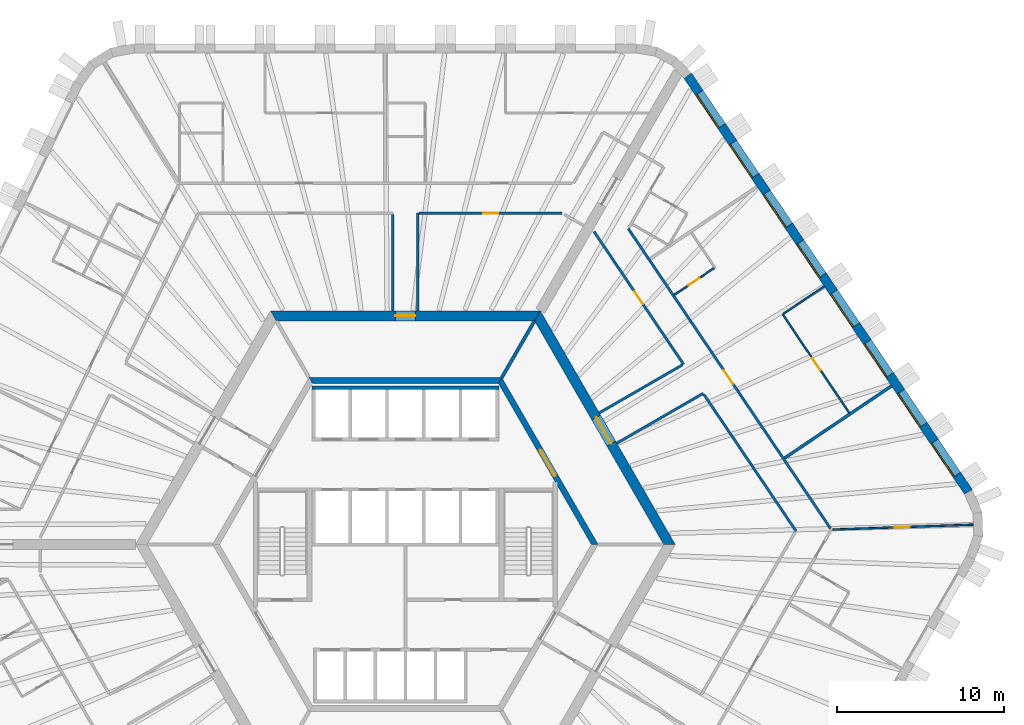
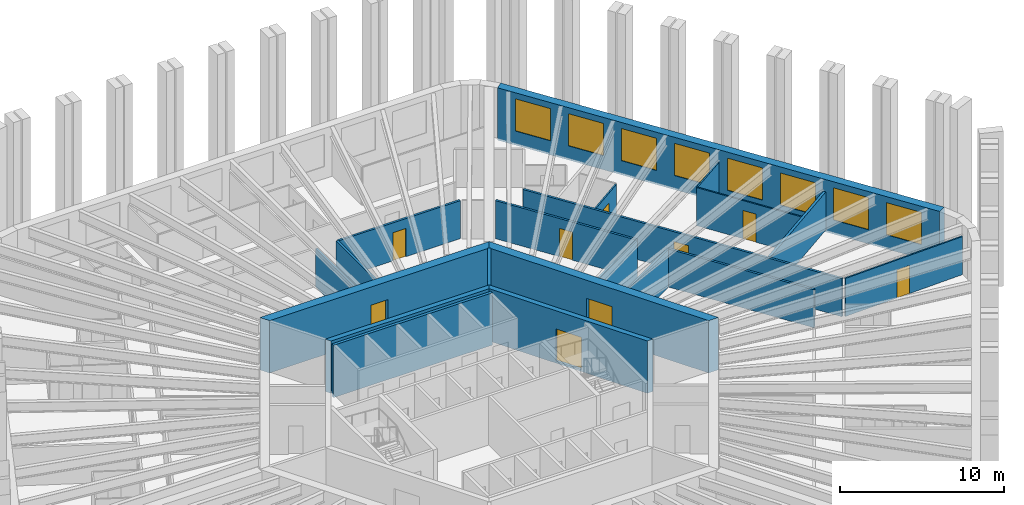
# One storey, part 9 of 13: 20 walls, 9 doors, 8 windows, 17 openings.
"""IFC4 building model written with IfcOpenShell, lengths in metres."""

from ifc_helpers import new_model, si_unit, direction, frame, frame_2d, origin, place, context, subcontext, project, spatial, polyline, rectangle, outline, extrude, material, layer, layer_set, type_object, element, fill, save


model = new_model("IFC4")

# Units and contexts
model_context = context("Model", 3, precision=1e-05, world=origin(), true_north=direction((0.0, 1.0)))
body_context = subcontext(model_context, "Body", "Model", "MODEL_VIEW")
ifc_project = project(units=[si_unit("LENGTHUNIT", "METRE"), si_unit("AREAUNIT", "SQUARE_METRE"), si_unit("VOLUMEUNIT", "CUBIC_METRE"), si_unit("PLANEANGLEUNIT", "RADIAN"), si_unit("MASSUNIT", "GRAM", prefix="KILO")], contexts=[model_context])

# Site, building, storey
site_placement = place(None, origin())
site = spatial("IfcSite", under=ifc_project, at=site_placement, CompositionType="ELEMENT")
building_placement = place(site_placement, origin())
building = spatial("IfcBuilding", under=site, at=building_placement, Name="Tarnside Tower", CompositionType="ELEMENT")
storey_placement = place(building_placement, frame((0.0, 0.0, 135.0)))
storey = spatial("IfcBuildingStorey", under=building, at=storey_placement, Name="L31", CompositionType="ELEMENT", Elevation=135.0)

# Wall, opening, door
ifc_material_1 = material(Name="Gypsum board partition on steel studs", Category="steel")
ifc_layer_1 = layer(ifc_material_1, 0.10009765625)
ifc_layer_set_1 = layer_set([ifc_layer_1], Name="Bathroom wall 100")
wall_type_1 = type_object("IfcWallType", Name="Bathroom wall 100", PredefinedType="PARTITIONING", material=ifc_layer_set_1)
wall_1_placement = place(storey_placement, frame((18.499267578125, 16.565673828125, 0.0), z_axis=(0.0, 0.0, 1.0), x_axis=(-0.82904649496, -0.559179675234, 0.0)))
wall_1 = element("IfcWall", 1, at=wall_1_placement, inside=storey, type_object=wall_type_1, Name="Bathroom wall 10150", PredefinedType="PARTITIONING", context=body_context, shape_type="SweptSolid", body=[
    extrude(rectangle(XDim=2.875, YDim=0.10009765625, at=frame_2d((1.4375, 0.0))), origin(), (0.0, 0.0, 1.0), 2.837890625),
])
opening_1_placement = place(wall_1_placement, frame((1.050048828125, 0.0, 0.0)))
opening_1 = element("IfcOpeningElement", 2, at=opening_1_placement, cuts=wall_1, Name="Opening D-B1", PredefinedType="OPENING", context=body_context, shape_type="SweptSolid", body=[
    extrude(rectangle(XDim=0.800048828125, YDim=2.10009765625, at=frame_2d((0.39990234375, 1.050048828125))), frame((0.0, 0.06005859375, 0.0), z_axis=(0.0, -1.0, 0.0), x_axis=(1.0, 0.0, 0.0)), (0.0, 0.0, 1.0), 0.1201171875),
])
ifc_material_2 = material(Name="Timber door leaf", Category="wood")
door_type_1 = type_object("IfcDoorType", Name="Bathroom door 800", OperationType="NOTDEFINED", PredefinedType="DOOR", material=ifc_material_2)
door_1_placement = place(opening_1_placement, origin())
door_1 = element("IfcDoor", 3, at=door_1_placement, inside=storey, type_object=door_type_1, Name="Bathroom door 10038", OperationType="SINGLE_SWING_LEFT", OverallHeight=2.10009765625, OverallWidth=0.800048828125, PredefinedType="DOOR", context=body_context, shape_type="SweptSolid", body=[
    extrude(rectangle(XDim=0.800048828125, YDim=2.10009765625, at=frame_2d((0.39990234375, 1.050048828125))), frame((0.0, 0.02490234375, 0.0), z_axis=(0.0, -1.0, 0.0), x_axis=(1.0, 0.0, 0.0)), (0.0, 0.0, 1.0), 0.050048828125),
])
fill(opening_1, door_1)

ifc_material_3 = material(Name="Concrete C50/60", Category="concrete")
ifc_layer_2 = layer(ifc_material_3, 0.35009765625)
ifc_layer_set_2 = layer_set([ifc_layer_2], Name="Core block wall 350 C50/60")
wall_type_2 = type_object("IfcWallType", Name="Core block wall 350 C50/60", PredefinedType="SHEAR", material=ifc_layer_set_2)
wall_2_placement = place(storey_placement, frame((11.344970703125, 0.0, -0.14990234375), z_axis=(0.0, 0.0, 1.0), x_axis=(-0.499995046907, 0.866028263435, 0.0)))
wall_2 = element("IfcWall", 4, at=wall_2_placement, inside=storey, type_object=wall_type_2, Name="L31 core block wall face 6", PredefinedType="SHEAR", context=body_context, shape_type="SweptSolid", body=[
    extrude(outline(polyline([(-0.10107421875, -0.175048828125), (11.44580078125, -0.175048828125), (11.24365234375, 0.175048828125), (0.10107421875, 0.175048828125), (-0.10107421875, -0.175048828125)])), origin(), (0.0, 0.0, 1.0), 3.89990234375),
])
opening_2_placement = place(wall_2_placement, frame((4.74365234375, 0.0, 0.14990234375)))
opening_2 = element("IfcOpeningElement", 5, at=opening_2_placement, cuts=wall_2, Name="Opening CD-LOB", PredefinedType="OPENING", context=body_context, shape_type="SweptSolid", body=[
    extrude(rectangle(XDim=1.800048828125, YDim=2.39990234375, at=frame_2d((0.89990234375, 1.199951171875))), frame((0.0, 0.18505859375, 0.0), z_axis=(0.0, -1.0, 0.0), x_axis=(1.0, 0.0, 0.0)), (0.0, 0.0, 1.0), 0.3701171875),
])
ifc_material_4 = material(Name="Steel fire door", Category="steel")
door_type_2 = type_object("IfcDoorType", Name="Lobby double door FD30S 1800x2400", OperationType="NOTDEFINED", PredefinedType="DOOR", material=ifc_material_4)
door_2_placement = place(opening_2_placement, origin())
door_2 = element("IfcDoor", 6, at=door_2_placement, inside=storey, type_object=door_type_2, Name="L31 lobby block door P2", OperationType="DOUBLE_DOOR_SINGLE_SWING", OverallHeight=2.39990234375, OverallWidth=1.800048828125, PredefinedType="DOOR", context=body_context, shape_type="SweptSolid", body=[
    extrude(rectangle(XDim=1.800048828125, YDim=2.39990234375, at=frame_2d((0.89990234375, 1.199951171875))), frame((0.0, 0.02490234375, 0.0), z_axis=(0.0, -1.0, 0.0), x_axis=(1.0, 0.0, 0.0)), (0.0, 0.0, 1.0), 0.050048828125),
])
fill(opening_2, door_2)

# Wall
wall_3_placement = place(storey_placement, frame((5.672607421875, 9.824951171875, -0.14990234375), z_axis=(0.0, 0.0, 1.0), x_axis=(-1.0, 0.0, 0.0)))
element("IfcWall", 7, at=wall_3_placement, inside=storey, type_object=wall_type_2, Name="L31 core block wall face 1", PredefinedType="SHEAR", context=body_context, shape_type="SweptSolid", body=[
    extrude(outline(polyline([(-0.10107421875, -0.175048828125), (11.4462890625, -0.175048828125), (11.244140625, 0.175048828125), (0.10107421875, 0.175048828125), (-0.10107421875, -0.175048828125)])), origin(), (0.0, 0.0, 1.0), 3.89990234375),
])

# Wall, opening, door
ifc_material_5 = material(Name="Concrete C80/95", Category="concrete")
ifc_layer_3 = layer(ifc_material_5, 0.60009765625)
ifc_layer_set_3 = layer_set([ifc_layer_3], Name="Core wall Z1 600 C80/95")
wall_type_3 = type_object("IfcWallType", Name="Core wall Z1 600 C80/95", PredefinedType="SHEAR", material=ifc_layer_set_3)
wall_4_placement = place(storey_placement, frame((15.8193359375, 0.0, -0.14990234375), z_axis=(0.0, 0.0, 1.0), x_axis=(-0.499999880136, 0.866025472988, 0.0)))
wall_4 = element("IfcWall", 8, at=wall_4_placement, inside=storey, type_object=wall_type_3, Name="L31 core wall face 6", PredefinedType="SHEAR", context=body_context, shape_type="SweptSolid", body=[
    extrude(outline(polyline([(-0.17333984375, -0.300048828125), (15.99267578125, -0.300048828125), (15.64599609375, 0.300048828125), (0.17333984375, 0.300048828125), (-0.17333984375, -0.300048828125)])), origin(), (0.0, 0.0, 1.0), 3.89990234375),
])
opening_3_placement = place(wall_4_placement, frame((6.980712890625, 0.0, 0.14990234375)))
opening_3 = element("IfcOpeningElement", 9, at=opening_3_placement, cuts=wall_4, Name="Opening CD-LOB", PredefinedType="OPENING", context=body_context, shape_type="SweptSolid", body=[
    extrude(rectangle(XDim=1.800048828125, YDim=2.39990234375, at=frame_2d((0.89990234375, 1.199951171875))), frame((0.0, 0.31005859375, 0.0), z_axis=(0.0, -1.0, 0.0), x_axis=(1.0, 0.0, 0.0)), (0.0, 0.0, 1.0), 0.6201171875),
])
door_3_placement = place(opening_3_placement, origin())
door_3 = element("IfcDoor", 10, at=door_3_placement, inside=storey, type_object=door_type_2, Name="L31 core door P2", OperationType="DOUBLE_DOOR_SINGLE_SWING", OverallHeight=2.39990234375, OverallWidth=1.800048828125, PredefinedType="DOOR", context=body_context, shape_type="SweptSolid", body=[
    extrude(rectangle(XDim=1.800048828125, YDim=2.39990234375, at=frame_2d((0.89990234375, 1.199951171875))), frame((0.0, 0.02490234375, 0.0), z_axis=(0.0, -1.0, 0.0), x_axis=(1.0, 0.0, 0.0)), (0.0, 0.0, 1.0), 0.050048828125),
])
fill(opening_3, door_3)

wall_5_placement = place(storey_placement, frame((7.90966796875, 13.699951171875, -0.14990234375), z_axis=(0.0, 0.0, 1.0), x_axis=(-1.0, 0.0, 0.0)))
wall_5 = element("IfcWall", 11, at=wall_5_placement, inside=storey, type_object=wall_type_3, Name="L31 core wall face 1", PredefinedType="SHEAR", context=body_context, shape_type="SweptSolid", body=[
    extrude(outline(polyline([(-0.17333984375, -0.300048828125), (15.99267578125, -0.300048828125), (15.64599609375, 0.300048828125), (0.17333984375, 0.300048828125), (-0.17333984375, -0.300048828125)])), origin(), (0.0, 0.0, 1.0), 3.89990234375),
])
opening_4_placement = place(wall_5_placement, frame((7.309814453125, 0.0, 0.14990234375)))
opening_4 = element("IfcOpeningElement", 12, at=opening_4_placement, cuts=wall_5, Name="Opening CD-RSR", PredefinedType="OPENING", context=body_context, shape_type="SweptSolid", body=[
    extrude(rectangle(XDim=1.199951171875, YDim=2.39990234375, at=frame_2d((0.60009765625, 1.199951171875))), frame((0.0, 0.31005859375, 0.0), z_axis=(0.0, -1.0, 0.0), x_axis=(1.0, 0.0, 0.0)), (0.0, 0.0, 1.0), 0.6201171875),
])
door_type_3 = type_object("IfcDoorType", Name="Riser door FD60 1200x2400", OperationType="NOTDEFINED", PredefinedType="DOOR", material=ifc_material_4)
door_4_placement = place(opening_4_placement, origin())
door_4 = element("IfcDoor", 13, at=door_4_placement, inside=storey, type_object=door_type_3, Name="L31 core door S5", OperationType="SINGLE_SWING_LEFT", OverallHeight=2.39990234375, OverallWidth=1.199951171875, PredefinedType="DOOR", context=body_context, shape_type="SweptSolid", body=[
    extrude(rectangle(XDim=1.199951171875, YDim=2.39990234375, at=frame_2d((0.60009765625, 1.199951171875))), frame((0.0, 0.02490234375, 0.0), z_axis=(0.0, -1.0, 0.0), x_axis=(1.0, 0.0, 0.0)), (0.0, 0.0, 1.0), 0.050048828125),
])
fill(opening_4, door_4)

# Walls
ifc_layer_4 = layer(ifc_material_1, 0.14990234375)
ifc_layer_set_4 = layer_set([ifc_layer_4], Name="Corridor wall 150 EI 60")
wall_type_4 = type_object("IfcWallType", Name="Corridor wall 150 EI 60", PredefinedType="PARTITIONING", material=ifc_layer_set_4)
wall_6_placement = place(storey_placement, frame((-0.75, 19.77490234375, 0.0), z_axis=(0.0, 0.0, 1.0), x_axis=(0.0, -1.0, 0.0)))
element("IfcWall", 14, at=wall_6_placement, inside=storey, type_object=wall_type_4, Name="Corridor wall 10019", PredefinedType="PARTITIONING", context=body_context, shape_type="SweptSolid", body=[
    extrude(rectangle(XDim=5.77490234375, YDim=0.14990234375, at=frame_2d((2.887451171875, 0.0))), origin(), (0.0, 0.0, 1.0), 2.837890625),
])
wall_7_placement = place(storey_placement, frame((0.75, 14.0, 0.0), z_axis=(0.0, 0.0, 1.0), x_axis=(0.0, 1.0, 0.0)))
element("IfcWall", 15, at=wall_7_placement, inside=storey, type_object=wall_type_4, Name="Corridor wall 10020", PredefinedType="PARTITIONING", context=body_context, shape_type="SweptSolid", body=[
    extrude(rectangle(XDim=5.85009765625, YDim=0.14990234375, at=frame_2d((2.925048828125, 0.0))), origin(), (0.0, 0.0, 1.0), 2.837890625),
])

# Wall, opening, door
wall_8_placement = place(storey_placement, frame((0.824951171875, 19.85009765625, 0.0), z_axis=(0.0, 0.0, 1.0), x_axis=(1.0, 0.0, 0.0)))
wall_8 = element("IfcWall", 16, at=wall_8_placement, inside=storey, type_object=wall_type_4, Name="Corridor wall 10021", PredefinedType="PARTITIONING", context=body_context, shape_type="SweptSolid", body=[
    extrude(rectangle(XDim=8.564208984375, YDim=0.14990234375, at=frame_2d((4.2822265625, 0.0))), origin(), (0.0, 0.0, 1.0), 2.837890625),
])
opening_5_placement = place(wall_8_placement, frame((3.83203125, 0.0, 0.0)))
opening_5 = element("IfcOpeningElement", 17, at=opening_5_placement, cuts=wall_8, Name="Opening D-S1", PredefinedType="OPENING", context=body_context, shape_type="SweptSolid", body=[
    extrude(rectangle(XDim=0.89990234375, YDim=2.10009765625, at=frame_2d((0.449951171875, 1.050048828125))), frame((0.0, 0.0849609375, 0.0), z_axis=(0.0, -1.0, 0.0), x_axis=(1.0, 0.0, 0.0)), (0.0, 0.0, 1.0), 0.169921875),
])
door_type_4 = type_object("IfcDoorType", Name="Service room door 900 FD30S", OperationType="NOTDEFINED", PredefinedType="DOOR", material=ifc_material_2)
door_5_placement = place(opening_5_placement, origin())
door_5 = element("IfcDoor", 18, at=door_5_placement, inside=storey, type_object=door_type_4, Name="Service door 10043", OperationType="SINGLE_SWING_RIGHT", OverallHeight=2.10009765625, OverallWidth=0.89990234375, PredefinedType="DOOR", context=body_context, shape_type="SweptSolid", body=[
    extrude(rectangle(XDim=0.89990234375, YDim=2.10009765625, at=frame_2d((0.449951171875, 1.050048828125))), frame((0.0, 0.02490234375, 0.0), z_axis=(0.0, -1.0, 0.0), x_axis=(1.0, 0.0, 0.0)), (0.0, 0.0, 1.0), 0.050048828125),
])
fill(opening_5, door_5)

wall_9_placement = place(storey_placement, frame((25.467041015625, 0.960205078125, 0.0), z_axis=(0.0, 0.0, 1.0), x_axis=(-0.559200743185, 0.829032284547, 0.0)))
wall_9 = element("IfcWall", 19, at=wall_9_placement, inside=storey, type_object=wall_type_4, Name="Corridor wall 10059", PredefinedType="PARTITIONING", context=body_context, shape_type="SweptSolid", body=[
    extrude(rectangle(XDim=21.66796875, YDim=0.14990234375, at=frame_2d((10.833984375, 0.0))), origin(), (0.0, 0.0, 1.0), 2.837890625),
])
opening_6_placement = place(wall_9_placement, frame((10.433837890625, 0.0, 0.0)))
opening_6 = element("IfcOpeningElement", 20, at=opening_6_placement, cuts=wall_9, Name="Opening D-E1", PredefinedType="OPENING", context=body_context, shape_type="SweptSolid", body=[
    extrude(rectangle(XDim=1.0, YDim=2.10009765625, at=frame_2d((0.5, 1.050048828125))), frame((0.0, 0.0849609375, 0.0), z_axis=(0.0, -1.0, 0.0), x_axis=(1.0, 0.0, 0.0)), (0.0, 0.0, 1.0), 0.169921875),
])
door_type_5 = type_object("IfcDoorType", Name="Unit entrance door 1000 FD30S", OperationType="NOTDEFINED", PredefinedType="DOOR", material=ifc_material_2)
door_6_placement = place(opening_6_placement, origin())
door_6 = element("IfcDoor", 21, at=door_6_placement, inside=storey, type_object=door_type_5, Name="Unit door 10037", OperationType="SINGLE_SWING_RIGHT", OverallHeight=2.10009765625, OverallWidth=1.0, PredefinedType="DOOR", context=body_context, shape_type="SweptSolid", body=[
    extrude(rectangle(XDim=1.0, YDim=2.10009765625, at=frame_2d((0.5, 1.050048828125))), frame((0.0, 0.02490234375, 0.0), z_axis=(0.0, -1.0, 0.0), x_axis=(1.0, 0.0, 0.0)), (0.0, 0.0, 1.0), 0.050048828125),
])
fill(opening_6, door_6)

# Walls
wall_10_placement = place(storey_placement, frame((12.663818359375, 6.065673828125, 0.0), z_axis=(0.0, 0.0, 1.0), x_axis=(0.866018848283, 0.500011354289, 0.0)))
element("IfcWall", 22, at=wall_10_placement, inside=storey, type_object=wall_type_4, Name="Corridor wall 10067", PredefinedType="PARTITIONING", context=body_context, shape_type="SweptSolid", body=[
    extrude(rectangle(XDim=5.973876953125, YDim=0.14990234375, at=frame_2d((2.98681640625, 0.0))), origin(), (0.0, 0.0, 1.0), 2.837890625),
])
wall_11_placement = place(storey_placement, frame((17.87939453125, 8.990234375, 0.0), z_axis=(0.0, 0.0, 1.0), x_axis=(0.559189565351, -0.829039824136, 0.0)))
element("IfcWall", 23, at=wall_11_placement, inside=storey, type_object=wall_type_4, Name="Corridor wall 10068", PredefinedType="PARTITIONING", context=body_context, shape_type="SweptSolid", body=[
    extrude(rectangle(XDim=9.85888671875, YDim=0.14990234375, at=frame_2d((4.929443359375, 0.0))), origin(), (0.0, 0.0, 1.0), 2.837890625),
])

# Wall, opening, door
wall_12_placement = place(storey_placement, frame((11.297607421875, 18.748046875, 0.0), z_axis=(0.0, 0.0, 1.0), x_axis=(0.559198234291, -0.829033976847, 0.0)))
wall_12 = element("IfcWall", 24, at=wall_12_placement, inside=storey, type_object=wall_type_4, Name="Corridor wall 10074", PredefinedType="PARTITIONING", context=body_context, shape_type="SweptSolid", body=[
    extrude(rectangle(XDim=9.589599609375, YDim=0.14990234375, at=frame_2d((4.794921875, 0.0))), origin(), (0.0, 0.0, 1.0), 2.837890625),
])
opening_7_placement = place(wall_12_placement, frame((4.3447265625, 0.0, 0.0)))
opening_7 = element("IfcOpeningElement", 25, at=opening_7_placement, cuts=wall_12, Name="Opening D-S1", PredefinedType="OPENING", context=body_context, shape_type="SweptSolid", body=[
    extrude(rectangle(XDim=0.89990234375, YDim=2.10009765625, at=frame_2d((0.449951171875, 1.050048828125))), frame((0.0, 0.0849609375, 0.0), z_axis=(0.0, -1.0, 0.0), x_axis=(1.0, 0.0, 0.0)), (0.0, 0.0, 1.0), 0.169921875),
])
door_7_placement = place(opening_7_placement, origin())
door_7 = element("IfcDoor", 26, at=door_7_placement, inside=storey, type_object=door_type_4, Name="Service door 10050", OperationType="SINGLE_SWING_RIGHT", OverallHeight=2.10009765625, OverallWidth=0.89990234375, PredefinedType="DOOR", context=body_context, shape_type="SweptSolid", body=[
    extrude(rectangle(XDim=0.89990234375, YDim=2.10009765625, at=frame_2d((0.449951171875, 1.050048828125))), frame((0.0, 0.02490234375, 0.0), z_axis=(0.0, -1.0, 0.0), x_axis=(1.0, 0.0, 0.0)), (0.0, 0.0, 1.0), 0.050048828125),
])
fill(opening_7, door_7)

# Walls
wall_13_placement = place(storey_placement, frame((16.594970703125, 10.76025390625, 0.0), z_axis=(0.0, 0.0, 1.0), x_axis=(-0.866019477104, -0.500010265171, 0.0)))
element("IfcWall", 27, at=wall_13_placement, inside=storey, type_object=wall_type_4, Name="Corridor wall 10075", PredefinedType="PARTITIONING", context=body_context, shape_type="SweptSolid", body=[
    extrude(rectangle(XDim=5.751953125, YDim=0.14990234375, at=frame_2d((2.8759765625, 0.0))), origin(), (0.0, 0.0, 1.0), 2.837890625),
])
ifc_layer_5 = layer(ifc_material_1, 0.179931640625)
ifc_layer_set_5 = layer_set([ifc_layer_5], Name="Demising wall 180 EI 60")
wall_type_5 = type_object("IfcWallType", Name="Demising wall 180 EI 60", PredefinedType="PARTITIONING", material=ifc_layer_set_5)
wall_14_placement = place(storey_placement, frame((29.11865234375, 9.4951171875, 0.0), z_axis=(0.0, 0.0, 1.0), x_axis=(-0.82903328576, -0.559199258853, 0.0)))
element("IfcWall", 28, at=wall_14_placement, inside=storey, type_object=wall_type_5, Name="Demising wall 10147", PredefinedType="PARTITIONING", context=body_context, shape_type="SweptSolid", body=[
    extrude(rectangle(XDim=7.72509765625, YDim=0.179931640625, at=frame_2d((3.862548828125, 0.0))), origin(), (0.0, 0.0, 1.0), 2.837890625),
])
ifc_material_6 = material(Name="Concrete C40/50", Category="concrete")
ifc_layer_6 = layer(ifc_material_6, 0.199951171875)
ifc_layer_set_6 = layer_set([ifc_layer_6], Name="Lift shaft wall 200 C40/50")
wall_type_6 = type_object("IfcWallType", Name="Lift shaft wall 200 C40/50", PredefinedType="SHEAR", material=ifc_layer_set_6)
wall_15_placement = place(storey_placement, frame((-5.60009765625, 9.39990234375, -0.25), z_axis=(0.0, 0.0, 1.0), x_axis=(1.0, 0.0, 0.0)))
element("IfcWall", 29, at=wall_15_placement, inside=storey, type_object=wall_type_6, Name="L31 lift shaft back wall R1", PredefinedType="SHEAR", context=body_context, shape_type="SweptSolid", body=[
    extrude(rectangle(XDim=11.2001953125, YDim=0.199951171875, at=frame_2d((5.60009765625, 0.0))), origin(), (0.0, 0.0, 1.0), 3.89990234375),
])
wall_16_placement = place(storey_placement, frame((5.7734375, 10.0, -0.14990234375), z_axis=(0.0, 0.0, 1.0), x_axis=(0.500038251005, 0.86600331843, 0.0)))
element("IfcWall", 30, at=wall_16_placement, inside=storey, type_object=wall_type_6, Name="L31 core partition AR60", PredefinedType="SHEAR", context=body_context, shape_type="SweptSolid", body=[
    extrude(rectangle(XDim=3.926025390625, YDim=0.199951171875, at=frame_2d((1.962890625, 0.0))), origin(), (0.0, 0.0, 1.0), 3.89990234375),
])

# Wall, opening, door
ifc_layer_7 = layer(ifc_material_1, 0.10009765625)
ifc_layer_set_7 = layer_set([ifc_layer_7], Name="Partition 100")
wall_type_7 = type_object("IfcWallType", Name="Partition 100", PredefinedType="PARTITIONING", material=ifc_layer_set_7)
wall_17_placement = place(storey_placement, frame((34.0234375, 1.188232421875, 0.0), z_axis=(0.0, 0.0, 1.0), x_axis=(-0.999390379298, -0.03491231539, 0.0)))
wall_17 = element("IfcWall", 31, at=wall_17_placement, inside=storey, type_object=wall_type_7, Name="Partition wall 10146", PredefinedType="PARTITIONING", context=body_context, shape_type="SweptSolid", body=[
    extrude(rectangle(XDim=8.426513671875, YDim=0.10009765625, at=frame_2d((4.21337890625, 0.0))), origin(), (0.0, 0.0, 1.0), 2.837890625),
])
opening_8_placement = place(wall_17_placement, frame((3.8076171875, 0.0, 0.0)))
opening_8 = element("IfcOpeningElement", 32, at=opening_8_placement, cuts=wall_17, Name="Opening D-I1", PredefinedType="OPENING", context=body_context, shape_type="SweptSolid", body=[
    extrude(rectangle(XDim=0.89990234375, YDim=2.10009765625, at=frame_2d((0.449951171875, 1.050048828125))), frame((0.0, 0.06005859375, 0.0), z_axis=(0.0, -1.0, 0.0), x_axis=(1.0, 0.0, 0.0)), (0.0, 0.0, 1.0), 0.1201171875),
])
door_type_6 = type_object("IfcDoorType", Name="Internal door 900", OperationType="NOTDEFINED", PredefinedType="DOOR", material=ifc_material_2)
door_8_placement = place(opening_8_placement, origin())
door_8 = element("IfcDoor", 33, at=door_8_placement, inside=storey, type_object=door_type_6, Name="Internal door 10036", OperationType="SINGLE_SWING_LEFT", OverallHeight=2.10009765625, OverallWidth=0.89990234375, PredefinedType="DOOR", context=body_context, shape_type="SweptSolid", body=[
    extrude(rectangle(XDim=0.89990234375, YDim=2.10009765625, at=frame_2d((0.449951171875, 1.050048828125))), frame((0.0, 0.02490234375, 0.0), z_axis=(0.0, -1.0, 0.0), x_axis=(1.0, 0.0, 0.0)), (0.0, 0.0, 1.0), 0.050048828125),
])
fill(opening_8, door_8)

wall_18_placement = place(storey_placement, frame((26.5810546875, 7.89208984375, 0.0), z_axis=(0.0, 0.0, 1.0), x_axis=(-0.559185029686, 0.829042883435, 0.0)))
wall_18 = element("IfcWall", 34, at=wall_18_placement, inside=storey, type_object=wall_type_7, Name="Partition wall 10151", PredefinedType="PARTITIONING", context=body_context, shape_type="SweptSolid", body=[
    extrude(rectangle(XDim=7.110107421875, YDim=0.10009765625, at=frame_2d((3.55517578125, 0.0))), origin(), (0.0, 0.0, 1.0), 2.837890625),
])
opening_9_placement = place(wall_18_placement, frame((3.06005859375, 0.0, 0.0)))
opening_9 = element("IfcOpeningElement", 35, at=opening_9_placement, cuts=wall_18, Name="Opening D-I1", PredefinedType="OPENING", context=body_context, shape_type="SweptSolid", body=[
    extrude(rectangle(XDim=0.89990234375, YDim=2.10009765625, at=frame_2d((0.449951171875, 1.050048828125))), frame((0.0, 0.06005859375, 0.0), z_axis=(0.0, -1.0, 0.0), x_axis=(1.0, 0.0, 0.0)), (0.0, 0.0, 1.0), 0.1201171875),
])
door_9_placement = place(opening_9_placement, origin())
door_9 = element("IfcDoor", 36, at=door_9_placement, inside=storey, type_object=door_type_6, Name="Internal door 10039", OperationType="SINGLE_SWING_RIGHT", OverallHeight=2.10009765625, OverallWidth=0.89990234375, PredefinedType="DOOR", context=body_context, shape_type="SweptSolid", body=[
    extrude(rectangle(XDim=0.89990234375, YDim=2.10009765625, at=frame_2d((0.449951171875, 1.050048828125))), frame((0.0, 0.02490234375, 0.0), z_axis=(0.0, -1.0, 0.0), x_axis=(1.0, 0.0, 0.0)), (0.0, 0.0, 1.0), 0.050048828125),
])
fill(opening_9, door_9)

# Wall
wall_19_placement = place(storey_placement, frame((22.646728515625, 13.814453125, 0.0), z_axis=(0.0, 0.0, 1.0), x_axis=(0.829020376361, 0.559218397032, 0.0)))
element("IfcWall", 37, at=wall_19_placement, inside=storey, type_object=wall_type_7, Name="Partition wall 10152", PredefinedType="PARTITIONING", context=body_context, shape_type="SweptSolid", body=[
    extrude(rectangle(XDim=2.949951171875, YDim=0.10009765625, at=frame_2d((1.47509765625, 0.0))), origin(), (0.0, 0.0, 1.0), 2.837890625),
])

# Wall, openings, windows
ifc_material_7 = material(Name="Facing brick", Category="masonry")
ifc_layer_8 = layer(ifc_material_7, 0.10205078125)
ifc_material_8 = material(Name="Concrete C60/75 precast", Category="concrete")
ifc_layer_9 = layer(ifc_material_8, 0.347900390625)
ifc_material_9 = material(Name="Mineral wool insulation")
ifc_layer_10 = layer(ifc_material_9, 0.10009765625)
ifc_layer_set_8 = layer_set([ifc_layer_8, ifc_layer_9, ifc_layer_10], Name="Tube wall 550 brick faced")
wall_type_8 = type_object("IfcWallType", Name="Tube wall 550 brick faced", PredefinedType="SOLIDWALL", material=ifc_layer_set_8)
wall_20_placement = place(storey_placement, frame((33.72802734375, 3.153076171875, -0.14990234375), z_axis=(0.0, 0.0, 1.0), x_axis=(-0.559192411416, 0.82903790445, 0.0)))
wall_20 = element("IfcWall", 38, at=wall_20_placement, inside=storey, type_object=wall_type_8, Name="Tube wall L31 F6 flush 20", PredefinedType="SOLIDWALL", context=body_context, shape_type="SweptSolid", body=[
    extrude(outline(polyline([(-0.025634765625, -0.27490234375), (30.09326171875, -0.27490234375), (30.04833984375, 0.27490234375), (0.025634765625, 0.27490234375), (-0.025634765625, -0.27490234375)])), origin(), (0.0, 0.0, 1.0), 3.89990234375),
])
opening_10_placement = place(wall_20_placement, frame((1.235595703125, 0.0, 1.050048828125)))
opening_10 = element("IfcOpeningElement", 39, at=opening_10_placement, cuts=wall_20, Name="Opening WH", PredefinedType="OPENING", context=body_context, shape_type="SweptSolid", body=[
    extrude(rectangle(XDim=2.39990234375, YDim=2.39990234375, at=frame_2d((1.199951171875, 1.199951171875))), frame((0.0, 0.28515625, 0.0), z_axis=(0.0, -1.0, 0.0), x_axis=(1.0, 0.0, 0.0)), (0.0, 0.0, 1.0), 0.570068359375),
])
opening_11_placement = place(wall_20_placement, frame((4.83544921875, 0.0, 1.050048828125)))
opening_11 = element("IfcOpeningElement", 40, at=opening_11_placement, cuts=wall_20, Name="Opening WH", PredefinedType="OPENING", context=body_context, shape_type="SweptSolid", body=[
    extrude(rectangle(XDim=2.39990234375, YDim=2.39990234375, at=frame_2d((1.199951171875, 1.199951171875))), frame((0.0, 0.28515625, 0.0), z_axis=(0.0, -1.0, 0.0), x_axis=(1.0, 0.0, 0.0)), (0.0, 0.0, 1.0), 0.570068359375),
])
opening_12_placement = place(wall_20_placement, frame((8.435546875, 0.0, 1.050048828125)))
opening_12 = element("IfcOpeningElement", 41, at=opening_12_placement, cuts=wall_20, Name="Opening WH", PredefinedType="OPENING", context=body_context, shape_type="SweptSolid", body=[
    extrude(rectangle(XDim=2.39990234375, YDim=2.39990234375, at=frame_2d((1.199951171875, 1.199951171875))), frame((0.0, 0.28515625, 0.0), z_axis=(0.0, -1.0, 0.0), x_axis=(1.0, 0.0, 0.0)), (0.0, 0.0, 1.0), 0.570068359375),
])
opening_13_placement = place(wall_20_placement, frame((12.035400390625, 0.0, 1.050048828125)))
opening_13 = element("IfcOpeningElement", 42, at=opening_13_placement, cuts=wall_20, Name="Opening WH", PredefinedType="OPENING", context=body_context, shape_type="SweptSolid", body=[
    extrude(rectangle(XDim=2.39990234375, YDim=2.39990234375, at=frame_2d((1.199951171875, 1.199951171875))), frame((0.0, 0.28515625, 0.0), z_axis=(0.0, -1.0, 0.0), x_axis=(1.0, 0.0, 0.0)), (0.0, 0.0, 1.0), 0.570068359375),
])
opening_14_placement = place(wall_20_placement, frame((15.635498046875, 0.0, 1.050048828125)))
opening_14 = element("IfcOpeningElement", 43, at=opening_14_placement, cuts=wall_20, Name="Opening WH", PredefinedType="OPENING", context=body_context, shape_type="SweptSolid", body=[
    extrude(rectangle(XDim=2.39990234375, YDim=2.39990234375, at=frame_2d((1.199951171875, 1.199951171875))), frame((0.0, 0.28515625, 0.0), z_axis=(0.0, -1.0, 0.0), x_axis=(1.0, 0.0, 0.0)), (0.0, 0.0, 1.0), 0.570068359375),
])
opening_15_placement = place(wall_20_placement, frame((19.235595703125, 0.0, 1.050048828125)))
opening_15 = element("IfcOpeningElement", 44, at=opening_15_placement, cuts=wall_20, Name="Opening WH", PredefinedType="OPENING", context=body_context, shape_type="SweptSolid", body=[
    extrude(rectangle(XDim=2.39990234375, YDim=2.39990234375, at=frame_2d((1.199951171875, 1.199951171875))), frame((0.0, 0.28515625, 0.0), z_axis=(0.0, -1.0, 0.0), x_axis=(1.0, 0.0, 0.0)), (0.0, 0.0, 1.0), 0.570068359375),
])
opening_16_placement = place(wall_20_placement, frame((22.83544921875, 0.0, 1.050048828125)))
opening_16 = element("IfcOpeningElement", 45, at=opening_16_placement, cuts=wall_20, Name="Opening WH", PredefinedType="OPENING", context=body_context, shape_type="SweptSolid", body=[
    extrude(rectangle(XDim=2.39990234375, YDim=2.39990234375, at=frame_2d((1.199951171875, 1.199951171875))), frame((0.0, 0.28515625, 0.0), z_axis=(0.0, -1.0, 0.0), x_axis=(1.0, 0.0, 0.0)), (0.0, 0.0, 1.0), 0.570068359375),
])
opening_17_placement = place(wall_20_placement, frame((26.435546875, 0.0, 1.050048828125)))
opening_17 = element("IfcOpeningElement", 46, at=opening_17_placement, cuts=wall_20, Name="Opening WH", PredefinedType="OPENING", context=body_context, shape_type="SweptSolid", body=[
    extrude(rectangle(XDim=2.39990234375, YDim=2.39990234375, at=frame_2d((1.199951171875, 1.199951171875))), frame((0.0, 0.28515625, 0.0), z_axis=(0.0, -1.0, 0.0), x_axis=(1.0, 0.0, 0.0)), (0.0, 0.0, 1.0), 0.570068359375),
])
ifc_material_10 = material(Name="Aluminium-framed double glazing", Category="aluminium")
window_type = type_object("IfcWindowType", Name="Hotel window 2400 x 2400", PartitioningType="DOUBLE_PANEL_VERTICAL", PredefinedType="WINDOW", material=ifc_material_10)
window_1_placement = place(opening_10_placement, frame((0.0, 0.205078125, 0.0)))
window_1 = element("IfcWindow", 47, at=window_1_placement, inside=storey, type_object=window_type, Name="E.WN.L31.F6.00", OverallHeight=2.39990234375, OverallWidth=2.39990234375, PartitioningType="DOUBLE_PANEL_VERTICAL", PredefinedType="WINDOW", context=body_context, shape_type="SweptSolid", body=[
    extrude(rectangle(XDim=2.39990234375, YDim=2.39990234375, at=frame_2d((1.199951171875, 1.199951171875))), frame((0.0, 0.030029296875, 0.0), z_axis=(0.0, -1.0, 0.0), x_axis=(1.0, 0.0, 0.0)), (0.0, 0.0, 1.0), 0.06005859375),
])
fill(opening_10, window_1)
window_2_placement = place(opening_11_placement, frame((0.0, 0.205078125, 0.0)))
window_2 = element("IfcWindow", 48, at=window_2_placement, inside=storey, type_object=window_type, Name="E.WN.L31.F6.01", OverallHeight=2.39990234375, OverallWidth=2.39990234375, PartitioningType="DOUBLE_PANEL_VERTICAL", PredefinedType="WINDOW", context=body_context, shape_type="SweptSolid", body=[
    extrude(rectangle(XDim=2.39990234375, YDim=2.39990234375, at=frame_2d((1.199951171875, 1.199951171875))), frame((0.0, 0.030029296875, 0.0), z_axis=(0.0, -1.0, 0.0), x_axis=(1.0, 0.0, 0.0)), (0.0, 0.0, 1.0), 0.06005859375),
])
fill(opening_11, window_2)
window_3_placement = place(opening_12_placement, frame((0.0, 0.205078125, 0.0)))
window_3 = element("IfcWindow", 49, at=window_3_placement, inside=storey, type_object=window_type, Name="E.WN.L31.F6.02", OverallHeight=2.39990234375, OverallWidth=2.39990234375, PartitioningType="DOUBLE_PANEL_VERTICAL", PredefinedType="WINDOW", context=body_context, shape_type="SweptSolid", body=[
    extrude(rectangle(XDim=2.39990234375, YDim=2.39990234375, at=frame_2d((1.199951171875, 1.199951171875))), frame((0.0, 0.030029296875, 0.0), z_axis=(0.0, -1.0, 0.0), x_axis=(1.0, 0.0, 0.0)), (0.0, 0.0, 1.0), 0.06005859375),
])
fill(opening_12, window_3)
window_4_placement = place(opening_13_placement, frame((0.0, 0.205078125, 0.0)))
window_4 = element("IfcWindow", 50, at=window_4_placement, inside=storey, type_object=window_type, Name="E.WN.L31.F6.03", OverallHeight=2.39990234375, OverallWidth=2.39990234375, PartitioningType="DOUBLE_PANEL_VERTICAL", PredefinedType="WINDOW", context=body_context, shape_type="SweptSolid", body=[
    extrude(rectangle(XDim=2.39990234375, YDim=2.39990234375, at=frame_2d((1.199951171875, 1.199951171875))), frame((0.0, 0.030029296875, 0.0), z_axis=(0.0, -1.0, 0.0), x_axis=(1.0, 0.0, 0.0)), (0.0, 0.0, 1.0), 0.06005859375),
])
fill(opening_13, window_4)
window_5_placement = place(opening_14_placement, frame((0.0, 0.205078125, 0.0)))
window_5 = element("IfcWindow", 51, at=window_5_placement, inside=storey, type_object=window_type, Name="E.WN.L31.F6.04", OverallHeight=2.39990234375, OverallWidth=2.39990234375, PartitioningType="DOUBLE_PANEL_VERTICAL", PredefinedType="WINDOW", context=body_context, shape_type="SweptSolid", body=[
    extrude(rectangle(XDim=2.39990234375, YDim=2.39990234375, at=frame_2d((1.199951171875, 1.199951171875))), frame((0.0, 0.030029296875, 0.0), z_axis=(0.0, -1.0, 0.0), x_axis=(1.0, 0.0, 0.0)), (0.0, 0.0, 1.0), 0.06005859375),
])
fill(opening_14, window_5)
window_6_placement = place(opening_15_placement, frame((0.0, 0.205078125, 0.0)))
window_6 = element("IfcWindow", 52, at=window_6_placement, inside=storey, type_object=window_type, Name="E.WN.L31.F6.05", OverallHeight=2.39990234375, OverallWidth=2.39990234375, PartitioningType="DOUBLE_PANEL_VERTICAL", PredefinedType="WINDOW", context=body_context, shape_type="SweptSolid", body=[
    extrude(rectangle(XDim=2.39990234375, YDim=2.39990234375, at=frame_2d((1.199951171875, 1.199951171875))), frame((0.0, 0.030029296875, 0.0), z_axis=(0.0, -1.0, 0.0), x_axis=(1.0, 0.0, 0.0)), (0.0, 0.0, 1.0), 0.06005859375),
])
fill(opening_15, window_6)
window_7_placement = place(opening_16_placement, frame((0.0, 0.205078125, 0.0)))
window_7 = element("IfcWindow", 53, at=window_7_placement, inside=storey, type_object=window_type, Name="E.WN.L31.F6.06", OverallHeight=2.39990234375, OverallWidth=2.39990234375, PartitioningType="DOUBLE_PANEL_VERTICAL", PredefinedType="WINDOW", context=body_context, shape_type="SweptSolid", body=[
    extrude(rectangle(XDim=2.39990234375, YDim=2.39990234375, at=frame_2d((1.199951171875, 1.199951171875))), frame((0.0, 0.030029296875, 0.0), z_axis=(0.0, -1.0, 0.0), x_axis=(1.0, 0.0, 0.0)), (0.0, 0.0, 1.0), 0.06005859375),
])
fill(opening_16, window_7)
window_8_placement = place(opening_17_placement, frame((0.0, 0.205078125, 0.0)))
window_8 = element("IfcWindow", 54, at=window_8_placement, inside=storey, type_object=window_type, Name="E.WN.L31.F6.07", OverallHeight=2.39990234375, OverallWidth=2.39990234375, PartitioningType="DOUBLE_PANEL_VERTICAL", PredefinedType="WINDOW", context=body_context, shape_type="SweptSolid", body=[
    extrude(rectangle(XDim=2.39990234375, YDim=2.39990234375, at=frame_2d((1.199951171875, 1.199951171875))), frame((0.0, 0.030029296875, 0.0), z_axis=(0.0, -1.0, 0.0), x_axis=(1.0, 0.0, 0.0)), (0.0, 0.0, 1.0), 0.06005859375),
])
fill(opening_17, window_8)

save(model, "model.ifc")
